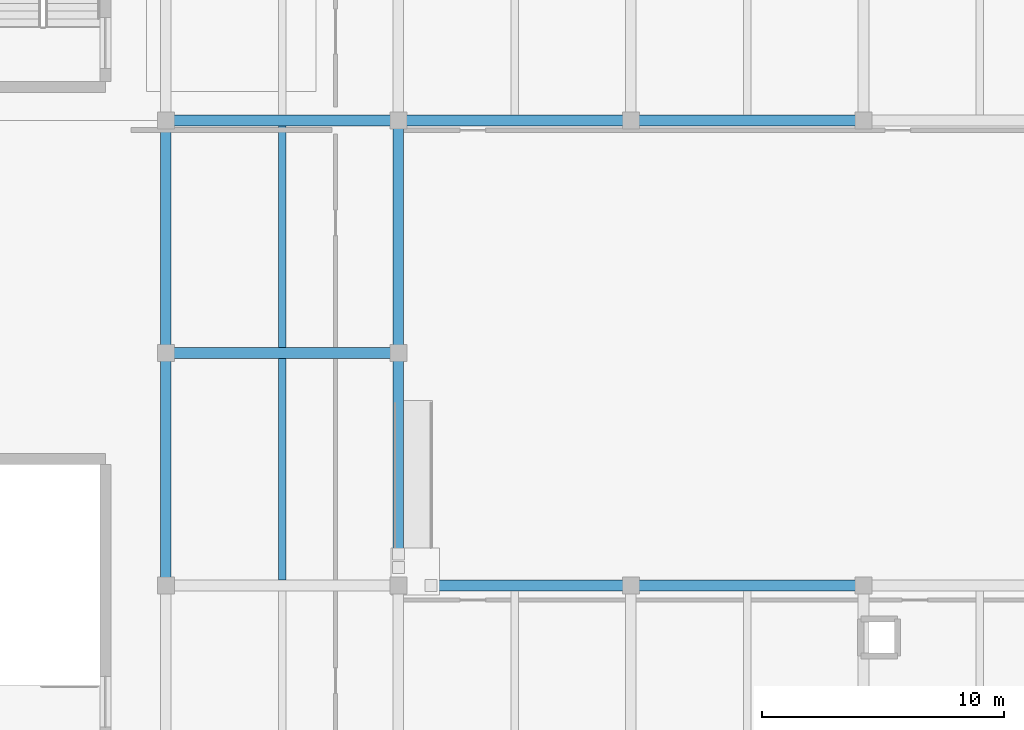
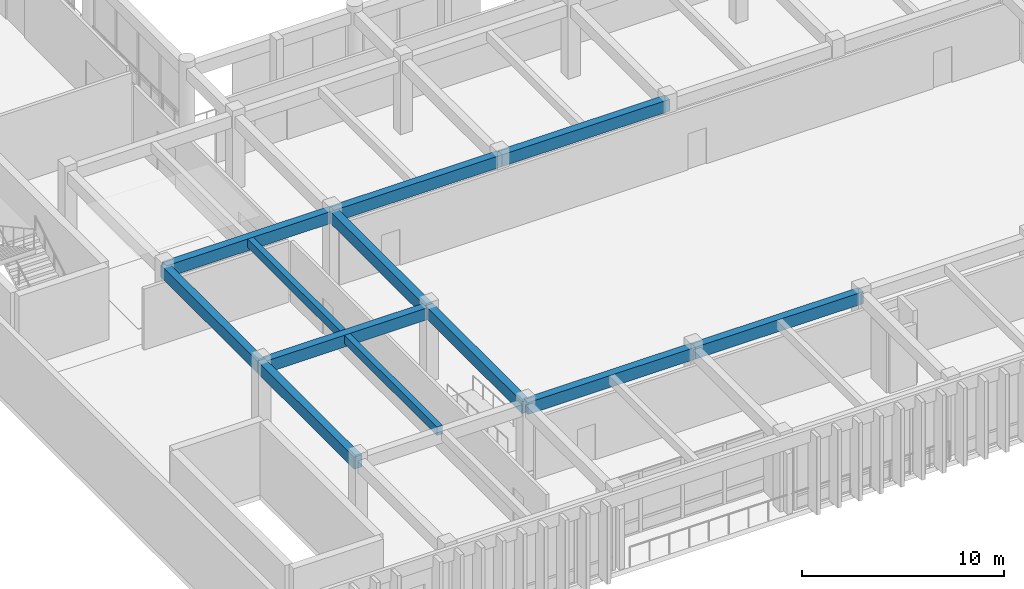
# One storey, part 13 of 133: 12 beams.
"""IFC4 building model written with IfcOpenShell, lengths in metres."""

from ifc_helpers import new_model, si_unit, direction, frame, origin, origin_2d, place, context, subcontext, project, spatial, rectangle, extrude, material, material_profile, profile_set, type_object, element, save


model = new_model("IFC4")

# Units and contexts
model_context = context("Model", 3, precision=1e-05, world=origin(), true_north=direction((0.0, 1.0)))
body_context = subcontext(model_context, "Body", "Model", "MODEL_VIEW")
ifc_project = project(units=[si_unit("LENGTHUNIT", "METRE"), si_unit("AREAUNIT", "SQUARE_METRE"), si_unit("VOLUMEUNIT", "CUBIC_METRE"), si_unit("PLANEANGLEUNIT", "RADIAN"), si_unit("MASSUNIT", "GRAM", prefix="KILO")], contexts=[model_context])

# Site, building, storey
site_placement = place(None, origin())
site = spatial("IfcSite", under=ifc_project, at=site_placement, CompositionType="ELEMENT")
building_placement = place(site_placement, origin())
building = spatial("IfcBuilding", under=site, at=building_placement, Name="Nakhvara Creek Congress Hotel", CompositionType="ELEMENT")
storey_placement = place(building_placement, frame((0.0, 0.0, 11.39990234375)))
storey = spatial("IfcBuildingStorey", under=building, at=storey_placement, Name="L02", CompositionType="ELEMENT", Elevation=11.39990234375)

# Beams
ifc_material = material(Name="Concrete C40/50", Category="concrete")
ifc_material_profile_1 = material_profile(ifc_material, rectangle(XDim=0.320068359375, YDim=0.52001953125, at=origin_2d()), Name="RC-BM 320x520", Category="LoadBearing")
ifc_profile_set_1 = profile_set([ifc_material_profile_1], Name="Concrete C40/50")
beam_type_1 = type_object("IfcBeamType", Name="BM-RC-320X520", PredefinedType="JOIST", material=ifc_profile_set_1)
beam_1_placement = place(storey_placement, frame((72.0, 9.820068359375, 4.16015625), z_axis=(0.0, 1.0, 0.0), x_axis=(-1.0, 0.0, 0.0)))
element("IfcBeam", 1, at=beam_1_placement, inside=storey, type_object=beam_type_1, Name="Secondary Joist BJ2-L02-1665", PredefinedType="JOIST", context=body_context, shape_type="SweptSolid", body=[
    extrude(rectangle(XDim=0.320068359375, YDim=0.52001953125, at=origin_2d()), origin(), (0.0, 0.0, 1.0), 9.159912109375),
])
beam_2_placement = place(storey_placement, frame((72.0, 19.419921875, 4.16015625), z_axis=(0.0, 1.0, 0.0), x_axis=(-1.0, 0.0, 0.0)))
element("IfcBeam", 2, at=beam_2_placement, inside=storey, type_object=beam_type_1, Name="Secondary Joist BJ2-L02-1666", PredefinedType="JOIST", context=body_context, shape_type="SweptSolid", body=[
    extrude(rectangle(XDim=0.320068359375, YDim=0.52001953125, at=origin_2d()), origin(), (0.0, 0.0, 1.0), 9.16015625),
])
ifc_material_profile_2 = material_profile(ifc_material, rectangle(XDim=0.43994140625, YDim=0.719970703125, at=origin_2d()), Name="RC-BM 440x720", Category="LoadBearing")
ifc_profile_set_2 = profile_set([ifc_material_profile_2], Name="Concrete C40/50")
beam_type_2 = type_object("IfcBeamType", Name="BM-RC-440X720", PredefinedType="BEAM", material=ifc_profile_set_2)
beam_3_placement = place(storey_placement, frame((67.199951171875, 9.60009765625, 4.06005859375), z_axis=(0.0, 1.0, 0.0), x_axis=(-1.0, 0.0, 0.0)))
element("IfcBeam", 3, at=beam_3_placement, inside=storey, type_object=beam_type_2, Name="Beam B12-L02-1440", PredefinedType="BEAM", context=body_context, shape_type="SweptSolid", body=[
    extrude(rectangle(XDim=0.43994140625, YDim=0.719970703125, at=origin_2d()), origin(), (0.0, 0.0, 1.0), 9.599853515625),
])
for number, where, z_axis, x_axis, name in (
    (4, (67.199951171875, 19.199951171875, 4.06005859375), (0.0, 1.0, 0.0), (-1.0, 0.0, 0.0), "Beam B12-L02-1442"),
    (5, (67.199951171875, 19.199951171875, 4.06005859375), (1.0, 0.0, 0.0), (0.0, 1.0, 0.0), "Beam B12-L02-1443"),
    (6, (67.199951171875, 28.800048828125, 4.06005859375), (1.0, 0.0, 0.0), (0.0, 1.0, 0.0), "Beam B12-L02-1445"),
):
    element("IfcBeam", number, at=place(storey_placement, frame(where, z_axis=z_axis, x_axis=x_axis)), inside=storey, type_object=beam_type_2, Name=name, PredefinedType="BEAM", context=body_context, shape_type="SweptSolid", body=[
        extrude(rectangle(XDim=0.43994140625, YDim=0.719970703125, at=origin_2d()), origin(), (0.0, 0.0, 1.0), 9.60009765625),
    ])
for number, where, z_axis, x_axis, name in (
    (7, (76.800048828125, 9.60009765625, 4.06005859375), (0.0, 1.0, 0.0), (-1.0, 0.0, 0.0), "Beam B12-L02-1449"),
    (8, (76.800048828125, 9.60009765625, 4.06005859375), (1.0, 0.0, 0.0), (0.0, 1.0, 0.0), "Beam B12-L02-1450"),
):
    element("IfcBeam", number, at=place(storey_placement, frame(where, z_axis=z_axis, x_axis=x_axis)), inside=storey, type_object=beam_type_2, Name=name, PredefinedType="BEAM", context=body_context, shape_type="SweptSolid", body=[
        extrude(rectangle(XDim=0.43994140625, YDim=0.719970703125, at=origin_2d()), origin(), (0.0, 0.0, 1.0), 9.599853515625),
    ])
beam_4_placement = place(storey_placement, frame((76.800048828125, 19.199951171875, 4.06005859375), z_axis=(0.0, 1.0, 0.0), x_axis=(-1.0, 0.0, 0.0)))
element("IfcBeam", 9, at=beam_4_placement, inside=storey, type_object=beam_type_2, Name="Beam B12-L02-1451", PredefinedType="BEAM", context=body_context, shape_type="SweptSolid", body=[
    extrude(rectangle(XDim=0.43994140625, YDim=0.719970703125, at=origin_2d()), origin(), (0.0, 0.0, 1.0), 9.60009765625),
])
beam_5_placement = place(storey_placement, frame((76.800048828125, 28.800048828125, 4.06005859375), z_axis=(1.0, 0.0, 0.0), x_axis=(0.0, 1.0, 0.0)))
element("IfcBeam", 10, at=beam_5_placement, inside=storey, type_object=beam_type_2, Name="Beam B12-L02-1453", PredefinedType="BEAM", context=body_context, shape_type="SweptSolid", body=[
    extrude(rectangle(XDim=0.43994140625, YDim=0.719970703125, at=origin_2d()), origin(), (0.0, 0.0, 1.0), 9.599853515625),
])
for number, where, z_axis, x_axis, name in (
    (11, (86.39990234375, 9.60009765625, 4.06005859375), (1.0, 0.0, 0.0), (0.0, 1.0, 0.0), "Beam B12-L02-1468"),
    (12, (86.39990234375, 28.800048828125, 4.06005859375), (1.0, 0.0, 0.0), (0.0, 1.0, 0.0), "Beam B12-L02-1470"),
):
    element("IfcBeam", number, at=place(storey_placement, frame(where, z_axis=z_axis, x_axis=x_axis)), inside=storey, type_object=beam_type_2, Name=name, PredefinedType="BEAM", context=body_context, shape_type="SweptSolid", body=[
        extrude(rectangle(XDim=0.43994140625, YDim=0.719970703125, at=origin_2d()), origin(), (0.0, 0.0, 1.0), 9.60009765625),
    ])

save(model, "model.ifc")
